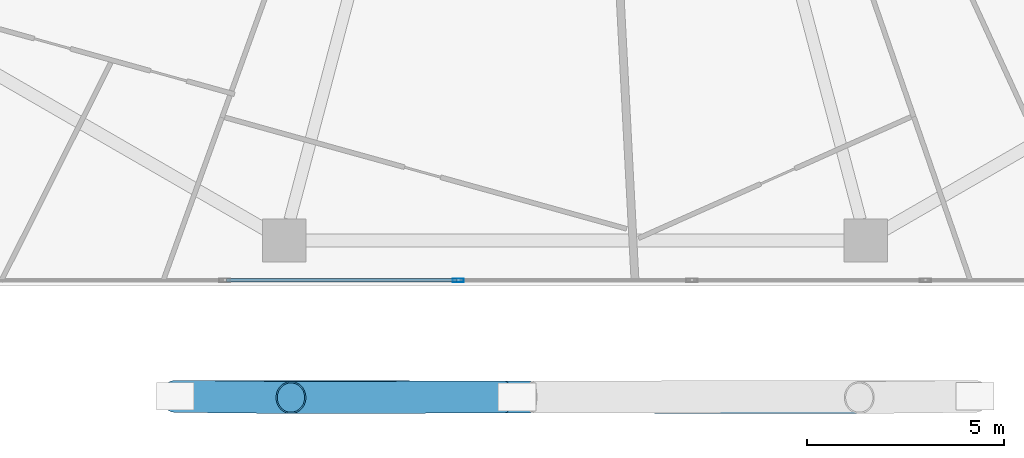
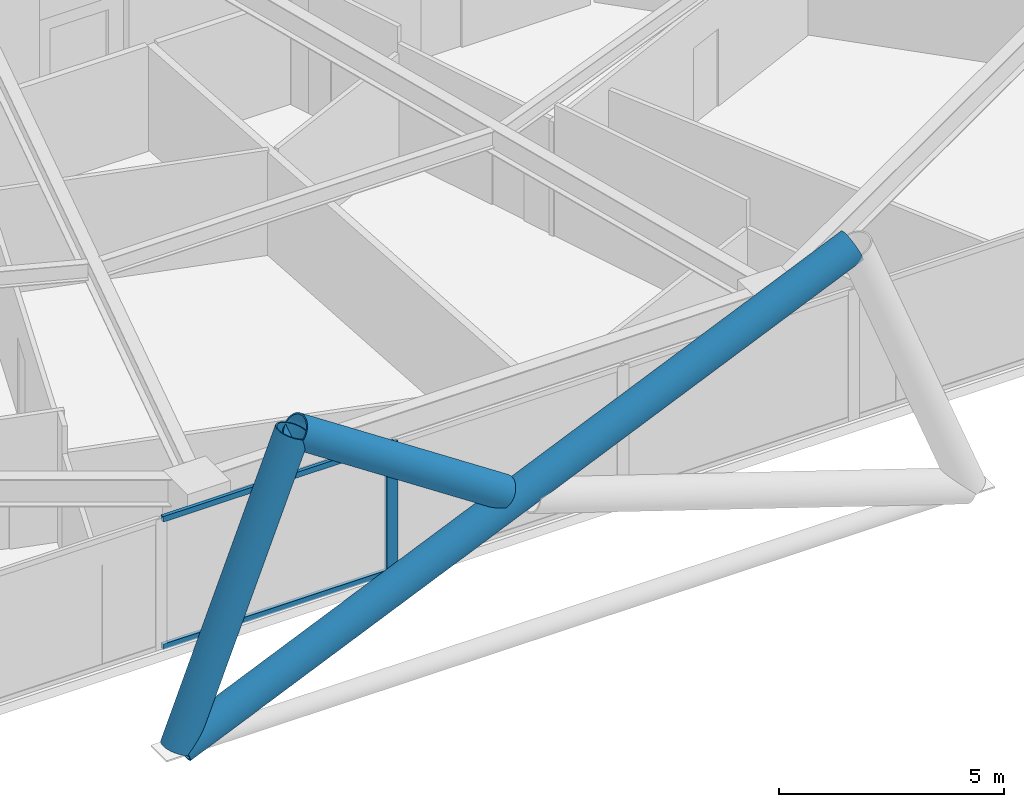
# One storey, part 3 of 35: 6 members, 1 element without a shape of its own.
"""IFC4 building model written with IfcOpenShell, lengths in metres."""

from ifc_helpers import new_model, si_unit, direction, frame, origin, origin_2d, place, context, subcontext, project, spatial, hollow_rectangle, hollow_circle, extrude, material, material_profile, profile_set, type_object, element, aggregate, save


model = new_model("IFC4")

# Units and contexts
model_context = context("Model", 3, precision=1e-05, world=origin(), true_north=direction((0.0, 1.0)))
body_context = subcontext(model_context, "Body", "Model", "MODEL_VIEW")
ifc_project = project(units=[si_unit("LENGTHUNIT", "METRE"), si_unit("AREAUNIT", "SQUARE_METRE"), si_unit("VOLUMEUNIT", "CUBIC_METRE"), si_unit("PLANEANGLEUNIT", "RADIAN"), si_unit("MASSUNIT", "GRAM", prefix="KILO")], contexts=[model_context])

# Site, building, storey
site_placement = place(None, origin())
site = spatial("IfcSite", under=ifc_project, at=site_placement, CompositionType="ELEMENT")
building_placement = place(site_placement, origin())
building = spatial("IfcBuilding", under=site, at=building_placement, Name="Zuhravey Tower", CompositionType="ELEMENT")
storey_placement = place(building_placement, frame((0.0, 0.0, 122.800048828125)))
storey = spatial("IfcBuildingStorey", under=building, at=storey_placement, Name="L30", CompositionType="ELEMENT", Elevation=122.800048828125)

# Curtain wall, members
ifc_material_1 = material(Name="Thermally broken anodised aluminium", Category="aluminium")
curtain_wall_type = type_object("IfcCurtainWallType", Name="Zone 1-2 Residential Curtain Wall CW3", PredefinedType="NOTDEFINED", material=ifc_material_1)
curtain_wall_placement = place(storey_placement, origin())
curtain_wall = element("IfcCurtainWall", 1, at=curtain_wall_placement, inside=storey, type_object=curtain_wall_type, Name="L30 CW3 CW-L30-F5-1", PredefinedType="NOTDEFINED")
ifc_material_2 = material(Name="Anodised aluminium", Category="aluminium")
ifc_material_profile_1 = material_profile(ifc_material_2, hollow_rectangle(XDim=0.090087890625, YDim=0.284912109375, WallThickness=0.0048828125, at=origin_2d()), Name="ALU-RHS-90x285x5")
ifc_profile_set_1 = profile_set([ifc_material_profile_1], Name="Anodised aluminium")
member_type_1 = type_object("IfcMemberType", Name="Curtain-Wall Mullion 90x180", PredefinedType="MULLION", material=ifc_profile_set_1)
member_1_placement = place(storey_placement, frame((33.0400390625, 3.04150390625, 0.0), z_axis=(0.0, 0.0, 1.0), x_axis=(0.0, -1.0, 0.0)))
member_1 = element("IfcMember", 2, at=member_1_placement, type_object=member_type_1, Name="CW3 mullion 4", PredefinedType="MULLION", context=body_context, shape_type="SweptSolid", body=[
    extrude(hollow_rectangle(XDim=0.090087890625, YDim=0.284912109375, WallThickness=0.0048828125, at=origin_2d()), origin(), (0.0, 0.0, 1.0), 3.550048828125),
])
ifc_material_profile_2 = material_profile(ifc_material_2, hollow_rectangle(XDim=0.090087890625, YDim=0.14990234375, WallThickness=0.0048828125, at=origin_2d()), Name="ALU-RHS-90x150x5")
ifc_profile_set_2 = profile_set([ifc_material_profile_2], Name="Anodised aluminium")
member_type_2 = type_object("IfcMemberType", Name="Curtain-Wall Transom 90x150", PredefinedType="USERDEFINED", material=ifc_profile_set_2)
member_2_placement = place(storey_placement, frame((32.9951171875, 3.04150390625, 0.044921875), z_axis=(-1.0, 0.0, 0.0), x_axis=(0.0, -1.0, 0.0)))
member_2 = element("IfcMember", 3, at=member_2_placement, type_object=member_type_2, Name="CW3 transom 4.1", ObjectType="TRANSOM", PredefinedType="USERDEFINED", context=body_context, shape_type="SweptSolid", body=[
    extrude(hollow_rectangle(XDim=0.090087890625, YDim=0.14990234375, WallThickness=0.0048828125, at=origin_2d()), origin(), (0.0, 0.0, 1.0), 5.829833984375),
])
member_3_placement = place(storey_placement, frame((32.9951171875, 3.04150390625, 3.5048828125), z_axis=(-1.0, 0.0, 0.0), x_axis=(0.0, -1.0, 0.0)))
member_3 = element("IfcMember", 4, at=member_3_placement, type_object=member_type_2, Name="CW3 transom 4.2", ObjectType="TRANSOM", PredefinedType="USERDEFINED", context=body_context, shape_type="SweptSolid", body=[
    extrude(hollow_rectangle(XDim=0.090087890625, YDim=0.14990234375, WallThickness=0.0048828125, at=origin_2d()), origin(), (0.0, 0.0, 1.0), 5.829833984375),
])
aggregate(curtain_wall, [member_1, member_2, member_3])

# Members
ifc_material_3 = material(Name="Steel SM460", Category="steel")
ifc_material_profile_3 = material_profile(ifc_material_3, hollow_circle(Radius=0.406494140625, WallThickness=0.035888671875, at=origin_2d()), Name="CHS-812.8x36")
ifc_profile_set_3 = profile_set([ifc_material_profile_3], Name="Steel SM460")
member_type_3 = type_object("IfcMemberType", Name="Exoskeleton Zone 1 Diagrid CHS813x36", PredefinedType="BRACE", material=ifc_profile_set_3)
member_4_placement = place(storey_placement, frame((25.871826171875, 0.101318359375, -0.442138671875), z_axis=(0.361079571165, -0.003675876809, 0.932527764314), x_axis=(0.010179712835, 0.999948185381, 0.0)))
element("IfcMember", 5, at=member_4_placement, inside=storey, type_object=member_type_3, Name="L30 Face 5 Diagrid Brace 1", PredefinedType="BRACE", context=body_context, shape_type="SweptSolid", body=[
    extrude(hollow_circle(Radius=0.406494140625, WallThickness=0.035888671875, at=origin_2d()), origin(), (0.0, 0.0, 1.0), 8.102783203125),
])
member_5_placement = place(storey_placement, frame((25.913330078125, 0.101318359375, -0.442138671875), z_axis=(0.915807994729, -0.001583095888, 0.401613259987), x_axis=(0.00172863038, 0.999998505917, 0.0)))
element("IfcMember", 6, at=member_5_placement, inside=storey, type_object=member_type_3, Name="L30 Face 5 Diagrid Brace 2", PredefinedType="BRACE", context=body_context, shape_type="SweptSolid", body=[
    extrude(hollow_circle(Radius=0.406494140625, WallThickness=0.035888671875, at=origin_2d()), origin(), (0.0, 0.0, 1.0), 18.814453125),
])
member_6_placement = place(storey_placement, frame((34.1982421875, 0.085693359375, 3.55517578125), z_axis=(-0.833035984248, -0.002206314767, 0.553214407914), x_axis=(0.002648513474, -0.999996492682, 0.0)))
element("IfcMember", 7, at=member_6_placement, inside=storey, type_object=member_type_3, Name="L30 Face 5 Split Diagrid Brace 3B", PredefinedType="BRACE", context=body_context, shape_type="SweptSolid", body=[
    extrude(hollow_circle(Radius=0.406494140625, WallThickness=0.035888671875, at=origin_2d()), origin(), (0.0, 0.0, 1.0), 6.41796875),
])

save(model, "model.ifc")
